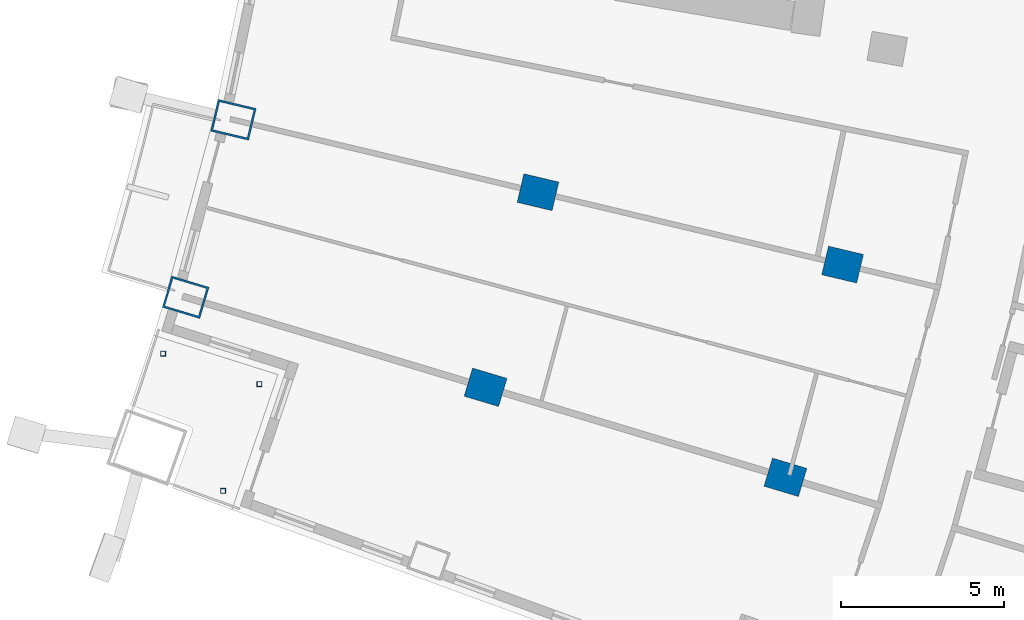
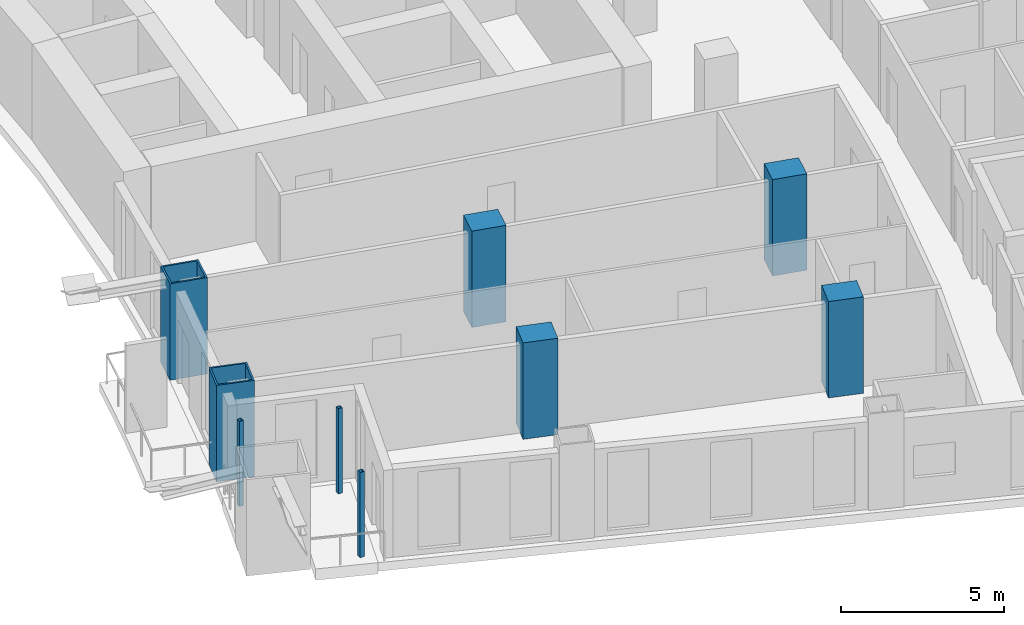
# One storey, part 2 of 22: 9 columns.
"""IFC4 building model written with IfcOpenShell, lengths in metres."""

from ifc_helpers import new_model, si_unit, direction, frame, origin, origin_2d, place, context, subcontext, project, spatial, rectangle, hollow_rectangle, extrude, material, material_profile, profile_set, type_object, element, save


model = new_model("IFC4")

# Units and contexts
model_context = context("Model", 3, precision=1e-05, world=origin(), true_north=direction((0.0, 1.0)))
body_context = subcontext(model_context, "Body", "Model", "MODEL_VIEW")
ifc_project = project(units=[si_unit("LENGTHUNIT", "METRE"), si_unit("AREAUNIT", "SQUARE_METRE"), si_unit("VOLUMEUNIT", "CUBIC_METRE"), si_unit("PLANEANGLEUNIT", "RADIAN"), si_unit("MASSUNIT", "GRAM", prefix="KILO")], contexts=[model_context])

# Site, building, storey
site_placement = place(None, origin())
site = spatial("IfcSite", under=ifc_project, at=site_placement, CompositionType="ELEMENT")
building_placement = place(site_placement, origin())
building = spatial("IfcBuilding", under=site, at=building_placement, Name="Alderwake Tower", CompositionType="ELEMENT")
storey_placement = place(building_placement, frame((0.0, 0.0, 50.0)))
storey = spatial("IfcBuildingStorey", under=building, at=storey_placement, Name="L11", CompositionType="ELEMENT", Elevation=50.0)

# Columns
ifc_material_1 = material(Name="Concrete C70/85", Category="concrete")
ifc_material_profile_1 = material_profile(ifc_material_1, rectangle(XDim=0.89990234375, YDim=1.10009765625, at=origin_2d()), Name="RC 1100X900")
ifc_profile_set_1 = profile_set([ifc_material_profile_1], Name="Concrete C70/85")
column_type_1 = type_object("IfcColumnType", Name="Interior column Z1", PredefinedType="COLUMN", material=ifc_profile_set_1)
for number, where, z_axis, x_axis, name in (
    (1, (21.714599609375, 30.46240234375, 0.0), (0.0, 0.0, 1.0), (0.287549418125, 0.957765802342, 0.0), "Column R02-C1"),
    (2, (30.9091796875, 27.701904296875, 0.0), (0.0, 0.0, 1.0), (0.287549418125, 0.957765802342, 0.0), "Column R02-C2"),
    (3, (23.322021484375, 36.444091796875, 0.0), (0.0, 0.0, 1.0), (0.231221547198, 0.972901123502, 0.0), "Column R03-C1"),
    (4, (32.661865234375, 34.224609375, 0.0), (0.0, 0.0, 1.0), (0.231221547198, 0.972901123502, 0.0), "Column R03-C2"),
):
    element("IfcColumn", number, at=place(storey_placement, frame(where, z_axis=z_axis, x_axis=x_axis)), inside=storey, type_object=column_type_1, Name=name, PredefinedType="COLUMN", context=body_context, shape_type="SweptSolid", body=[
        extrude(rectangle(XDim=0.89990234375, YDim=1.10009765625, at=origin_2d()), origin(), (0.0, 0.0, 1.0), 3.60009765625),
    ])
ifc_material_2 = material(Name="Steel ASTM A500 Grade C", Category="steel")
ifc_material_profile_2 = material_profile(ifc_material_2, hollow_rectangle(XDim=0.15234375, YDim=0.15234375, WallThickness=0.0087890625, at=origin_2d()), Name="HSS6X6X3/8")
ifc_profile_set_2 = profile_set([ifc_material_profile_2], Name="Steel ASTM A500 Grade C")
column_type_2 = type_object("IfcColumnType", Name="Light post HSS6X6X3/8", PredefinedType="COLUMN", material=ifc_profile_set_2)
for number, where, z_axis, x_axis, name in (
    (5, (11.82568359375, 31.492919921875, 0.0), (0.0, 0.0, 1.0), (1.0, 0.0, 0.0), "Terrace post RS1"),
    (6, (13.66796875, 27.28759765625, 0.0), (0.0, 0.0, 1.0), (1.0, 0.0, 0.0), "Terrace post RS2"),
    (7, (14.781494140625, 30.558349609375, 0.0), (0.0, 0.0, 1.0), (1.0, 0.0, 0.0), "Terrace post RS3"),
):
    element("IfcColumn", number, at=place(storey_placement, frame(where, z_axis=z_axis, x_axis=x_axis)), inside=storey, type_object=column_type_2, Name=name, PredefinedType="COLUMN", context=body_context, shape_type="SweptSolid", body=[
        extrude(hollow_rectangle(XDim=0.15234375, YDim=0.15234375, WallThickness=0.0087890625, at=origin_2d()), origin(), (0.0, 0.0, 1.0), 3.179931640625),
    ])
ifc_material_3 = material(Name="Steel ASTM A572 Grade 50 concrete filled C70/85", Category="concrete")
ifc_material_profile_3 = material_profile(ifc_material_3, hollow_rectangle(XDim=1.0, YDim=1.199951171875, WallThickness=0.06005859375, at=origin_2d()), Name="BOX 1200X1000X60")
ifc_profile_set_3 = profile_set([ifc_material_profile_3], Name="Steel ASTM A572 Grade 50 concrete filled C70/85")
column_type_3 = type_object("IfcColumnType", Name="Perimeter column Z1", PredefinedType="COLUMN", material=ifc_profile_set_3)
for number, where, z_axis, x_axis, name in (
    (8, (12.520263671875, 33.222900390625, 0.0), (0.0, 0.0, 1.0), (0.287549418125, 0.957765802342, 0.0), "Column R02-C0"),
    (9, (13.982177734375, 38.6640625, 0.0), (0.0, 0.0, 1.0), (0.231221547198, 0.972901123502, 0.0), "Column R03-C0"),
):
    element("IfcColumn", number, at=place(storey_placement, frame(where, z_axis=z_axis, x_axis=x_axis)), inside=storey, type_object=column_type_3, Name=name, PredefinedType="COLUMN", context=body_context, shape_type="SweptSolid", body=[
        extrude(hollow_rectangle(XDim=1.0, YDim=1.199951171875, WallThickness=0.06005859375, at=origin_2d()), origin(), (0.0, 0.0, 1.0), 3.60009765625),
    ])

save(model, "model.ifc")
